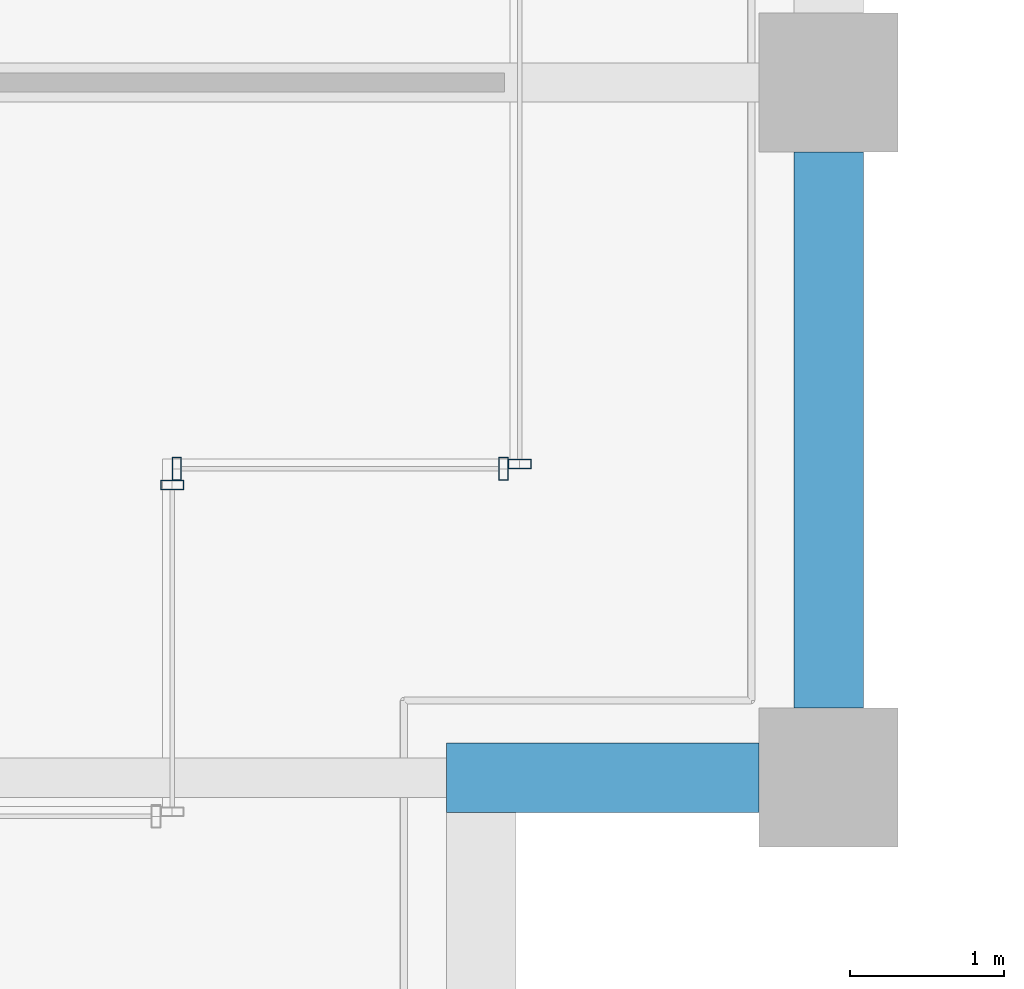
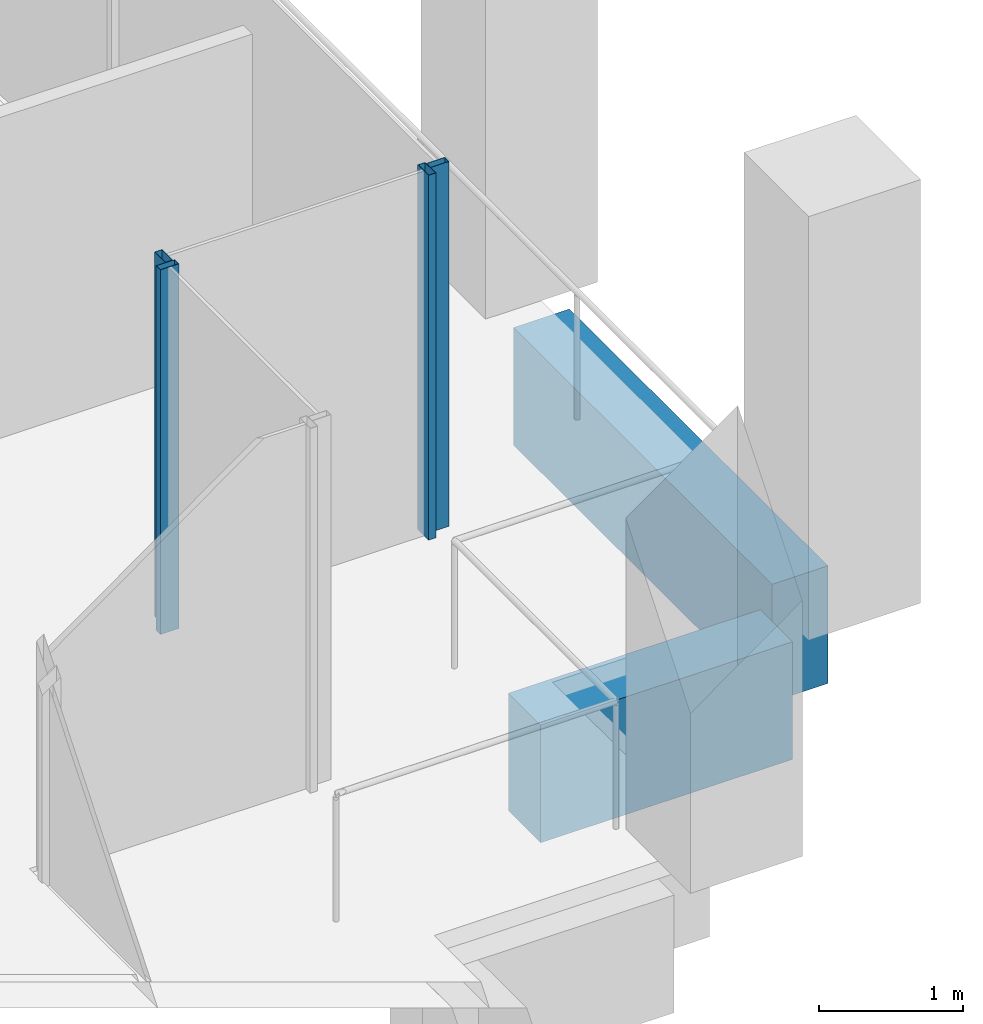
# One storey, part 13 of 40: 4 members, 2 beams, 3 elements without a shape of their own.
"""IFC4 building model written with IfcOpenShell, lengths in metres."""

from ifc_helpers import new_model, si_unit, direction, frame, origin, origin_2d, place, context, subcontext, project, spatial, rectangle, hollow_rectangle, extrude, material, material_profile, profile_set, type_object, element, aggregate, save


model = new_model("IFC4")

# Units and contexts
model_context = context("Model", 3, precision=1e-05, world=origin(), true_north=direction((0.0, 1.0)))
body_context = subcontext(model_context, "Body", "Model", "MODEL_VIEW")
ifc_project = project(units=[si_unit("LENGTHUNIT", "METRE"), si_unit("AREAUNIT", "SQUARE_METRE"), si_unit("VOLUMEUNIT", "CUBIC_METRE"), si_unit("PLANEANGLEUNIT", "RADIAN"), si_unit("MASSUNIT", "GRAM", prefix="KILO")], contexts=[model_context])

# Site, building, storey
site_placement = place(None, origin())
site = spatial("IfcSite", under=ifc_project, at=site_placement, CompositionType="ELEMENT")
building_placement = place(site_placement, origin())
building = spatial("IfcBuilding", under=site, at=building_placement, Name="Altepetl Exchange Towers", CompositionType="ELEMENT")
storey_placement = place(building_placement, frame((0.0, 0.0, 183.39990234375)))
storey = spatial("IfcBuildingStorey", under=building, at=storey_placement, Name="L46", CompositionType="ELEMENT", Elevation=183.39990234375)

# Curtain wall, member
ifc_material_1 = material(Name="Aluminium 6063-T6 glazing", Category="aluminium")
curtain_wall_type = type_object("IfcCurtainWallType", Name="Loggia glazing system", PredefinedType="NOTDEFINED", material=ifc_material_1)
curtain_wall_1_placement = place(storey_placement, origin())
curtain_wall_1 = element("IfcCurtainWall", 1, at=curtain_wall_1_placement, inside=storey, type_object=curtain_wall_type, Name="CW1 run", PredefinedType="NOTDEFINED")
ifc_material_2 = material(Name="Aluminium 6063-T6", Category="aluminium")
ifc_material_profile_1 = material_profile(ifc_material_2, hollow_rectangle(XDim=0.06005859375, YDim=0.14990234375, WallThickness=0.0029296875, at=origin_2d()), Name="Mullion 60x150 aluminium")
ifc_profile_set_1 = profile_set([ifc_material_profile_1], Name="Aluminium 6063-T6")
member_type = type_object("IfcMemberType", Name="Mullion 60x150 aluminium", PredefinedType="MULLION", material=ifc_profile_set_1)
member_1_placement = place(storey_placement, frame((67.75, 33.39501953125, 0.0), z_axis=(0.0, 0.0, 1.0), x_axis=(0.0, 1.0, 0.0)))
member_1 = element("IfcMember", 2, at=member_1_placement, type_object=member_type, Name="MU1 mullion", PredefinedType="MULLION", context=body_context, shape_type="SweptSolid", body=[
    extrude(hollow_rectangle(XDim=0.06005859375, YDim=0.14990234375, WallThickness=0.0029296875, at=origin_2d()), origin(), (0.0, 0.0, 1.0), 3.10009765625),
])
aggregate(curtain_wall_1, [member_1])

# Curtain wall, members
curtain_wall_2_placement = place(storey_placement, origin())
curtain_wall_2 = element("IfcCurtainWall", 3, at=curtain_wall_2_placement, inside=storey, type_object=curtain_wall_type, Name="CW1 run", PredefinedType="NOTDEFINED")
member_2_placement = place(storey_placement, frame((67.780029296875, 33.5, 0.0)))
member_2 = element("IfcMember", 4, at=member_2_placement, type_object=member_type, Name="MU1 mullion", PredefinedType="MULLION", context=body_context, shape_type="SweptSolid", body=[
    extrude(hollow_rectangle(XDim=0.06005859375, YDim=0.14990234375, WallThickness=0.0029296875, at=origin_2d()), origin(), (0.0, 0.0, 1.0), 3.10009765625),
])
member_3_placement = place(storey_placement, frame((69.89501953125, 33.5, 0.0)))
member_3 = element("IfcMember", 5, at=member_3_placement, type_object=member_type, Name="MU1 mullion", PredefinedType="MULLION", context=body_context, shape_type="SweptSolid", body=[
    extrude(hollow_rectangle(XDim=0.06005859375, YDim=0.14990234375, WallThickness=0.0029296875, at=origin_2d()), origin(), (0.0, 0.0, 1.0), 3.10009765625),
])
aggregate(curtain_wall_2, [member_2, member_3])

# Curtain wall, member
curtain_wall_3_placement = place(storey_placement, origin())
curtain_wall_3 = element("IfcCurtainWall", 6, at=curtain_wall_3_placement, inside=storey, type_object=curtain_wall_type, Name="CW1 run", PredefinedType="NOTDEFINED")
member_4_placement = place(storey_placement, frame((70.0, 33.530029296875, 0.0), z_axis=(0.0, 0.0, 1.0), x_axis=(0.0, 1.0, 0.0)))
member_4 = element("IfcMember", 7, at=member_4_placement, type_object=member_type, Name="MU1 mullion", PredefinedType="MULLION", context=body_context, shape_type="SweptSolid", body=[
    extrude(hollow_rectangle(XDim=0.06005859375, YDim=0.14990234375, WallThickness=0.0029296875, at=origin_2d()), origin(), (0.0, 0.0, 1.0), 3.10009765625),
])
aggregate(curtain_wall_3, [member_4])

# Beams
ifc_material_3 = material(Name="Concrete C50/60 precast with cantera amarilla facing", Category="concrete")
ifc_material_profile_2 = material_profile(ifc_material_3, rectangle(XDim=0.449951171875, YDim=1.0, at=origin_2d()), Name="450 x 1000")
ifc_profile_set_2 = profile_set([ifc_material_profile_2], Name="Concrete C50/60 precast with cantera amarilla facing")
beam_type = type_object("IfcBeamType", Name="Spandrel beam 450x1000 cantera amarilla", PredefinedType="SPANDREL", material=ifc_profile_set_2)
beam_1_placement = place(storey_placement, frame((69.52490234375, 31.5, -0.64990234375), z_axis=(1.0, 0.0, 0.0), x_axis=(0.0, 1.0, 0.0)))
element("IfcBeam", 8, at=beam_1_placement, inside=storey, type_object=beam_type, Name="sp:A:L46:011", PredefinedType="SPANDREL", context=body_context, shape_type="SweptSolid", body=[
    extrude(rectangle(XDim=0.449951171875, YDim=1.0, at=origin_2d()), origin(), (0.0, 0.0, 1.0), 2.025146484375),
])
beam_2_placement = place(storey_placement, frame((72.0, 31.949951171875, -0.64990234375), z_axis=(0.0, 1.0, 0.0), x_axis=(-1.0, 0.0, 0.0)))
element("IfcBeam", 9, at=beam_2_placement, inside=storey, type_object=beam_type, Name="sp:A:L46:012", PredefinedType="SPANDREL", context=body_context, shape_type="SweptSolid", body=[
    extrude(rectangle(XDim=0.449951171875, YDim=1.0, at=origin_2d()), origin(), (0.0, 0.0, 1.0), 3.60009765625),
])

save(model, "model.ifc")
